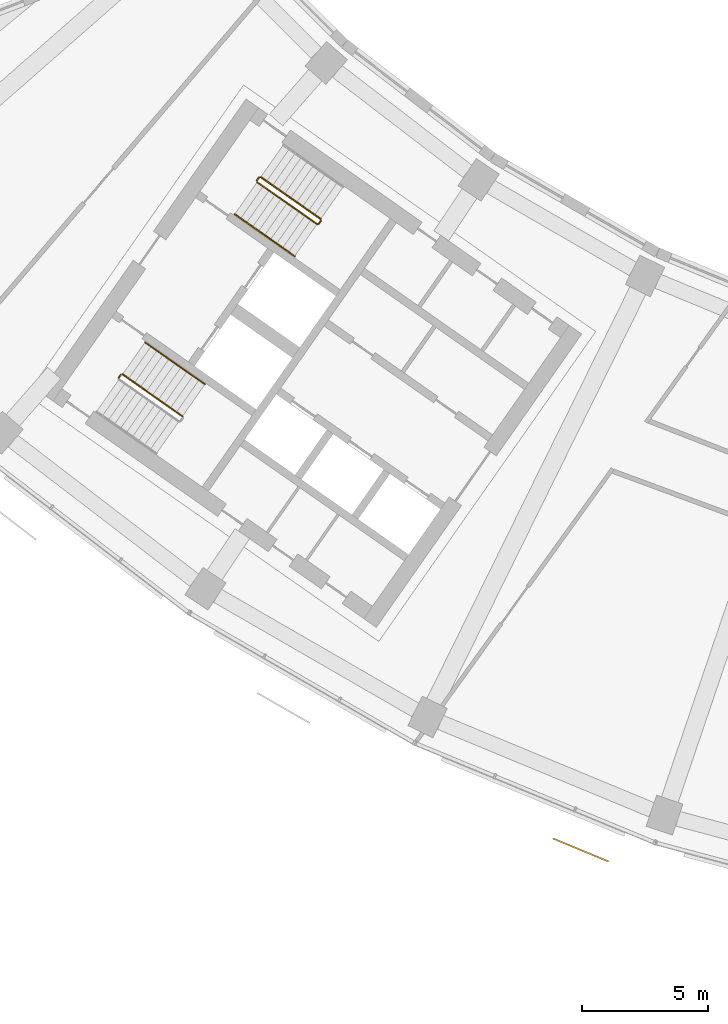
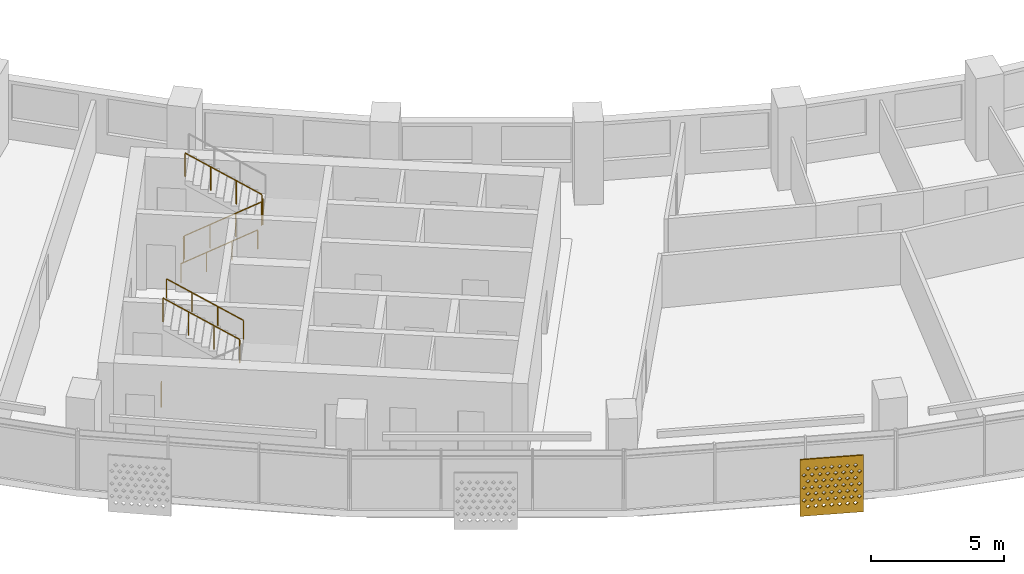
# One storey, part 22 of 26: 7 railings, 1 shading device.
"""IFC4 building model written with IfcOpenShell, lengths in metres."""

import ifcopenshell
import ifcopenshell.guid

model = None  # the IFC model being written
_history = None  # IfcOwnerHistory: only IFC2X3 demands one
_inside = {}  # id of a spatial element -> (the spatial element, [elements in it])
_under = {}  # id of a project, library or spatial element -> (it, [spatial elements below it])
_declared = {}  # id of a project -> (the project, [libraries it declares])
_typed = {}  # id of a type object -> (the type object, [elements of that type])
_made_of = {}  # id of a material, layer set ... -> (it, [elements and type objects made of it])


def new_model(schema):
    """Start an empty IFC model of exactly this schema.

    Asked for "IFC4X3", IfcOpenShell would pick the latest addendum, in which some entities
    have other attributes; the version numbers below select the first issue.
    IFC2X3 requires an IfcOwnerHistory on every rooted entity: one is made here for all.
    """
    global model, _history
    if schema == "IFC4X3":
        model = ifcopenshell.file(schema_version=(4, 3, 0, 0))
    else:
        model = ifcopenshell.file(schema=schema)
    _inside.clear()
    _under.clear()
    _declared.clear()
    _typed.clear()
    _made_of.clear()
    _history = None
    if model.schema == "IFC2X3":
        org = make("IfcOrganization", Name="unknown")
        user = make(
            "IfcPersonAndOrganization",
            ThePerson=make("IfcPerson", FamilyName="unknown"),
            TheOrganization=org,
        )
        app = make(
            "IfcApplication",
            ApplicationDeveloper=org,
            Version="unknown",
            ApplicationFullName="unknown",
            ApplicationIdentifier="unknown",
        )
        _history = make(
            "IfcOwnerHistory",
            OwningUser=user,
            OwningApplication=app,
            ChangeAction="ADDED",
            CreationDate=0,
        )
    return model


def make(cls, **values):
    """One entity of the class cls with the attributes given. An attribute that is None is left unset."""
    return model.create_entity(
        cls, **{name: value for name, value in values.items() if value is not None}
    )


def rooted(cls, **values):
    """An entity with a GlobalId (a new one), such as an element, a storey or a relation."""
    return make(cls, GlobalId=ifcopenshell.guid.new(), OwnerHistory=_history, **values)


def si_unit(unit_type, name, prefix=None):
    """IfcSIUnit, for example si_unit("LENGTHUNIT", "METRE", prefix="MILLI")."""
    return make("IfcSIUnit", UnitType=unit_type, Prefix=prefix, Name=name)


def assignment(units):
    """IfcUnitAssignment: the units of a project."""
    return None if units is None else make("IfcUnitAssignment", Units=units)


def point(xyz):
    """IfcCartesianPoint."""
    return None if xyz is None else make("IfcCartesianPoint", Coordinates=xyz)


def direction(xyz):
    """IfcDirection."""
    return None if xyz is None else make("IfcDirection", DirectionRatios=xyz)


def frame(location, z_axis=None, x_axis=None):
    """IfcAxis2Placement3D, a coordinate frame: its origin and axes. An axis left out is left unset."""
    return make(
        "IfcAxis2Placement3D",
        Location=point(location),
        Axis=direction(z_axis),
        RefDirection=direction(x_axis),
    )


def frame_2d(location, x_axis=None):
    """IfcAxis2Placement2D, a coordinate frame in the plane: its origin and x axis."""
    return make(
        "IfcAxis2Placement2D", Location=point(location), RefDirection=direction(x_axis)
    )


def origin():
    """The frame at (0, 0, 0) with its axes left unset."""
    return frame((0.0, 0.0, 0.0))


def origin_2d():
    """The frame at (0, 0) in the plane with its x axis left unset."""
    return frame_2d((0.0, 0.0))


def place(relative_to, where):
    """IfcLocalPlacement: puts the frame where relative to a parent placement (None: the world)."""
    return make(
        "IfcLocalPlacement", PlacementRelTo=relative_to, RelativePlacement=where
    )


def context(
    kind, dimensions, precision=None, world=None, true_north=None, identifier=None
):
    """IfcGeometricRepresentationContext, for example the 3D "Model" context."""
    return make(
        "IfcGeometricRepresentationContext",
        ContextIdentifier=identifier,
        ContextType=kind,
        CoordinateSpaceDimension=dimensions,
        Precision=precision,
        WorldCoordinateSystem=world,
        TrueNorth=true_north,
    )


def subcontext(parent, identifier, kind, view, scale=None):
    """IfcGeometricRepresentationSubContext, for example "Body" below "Model"."""
    return make(
        "IfcGeometricRepresentationSubContext",
        ContextIdentifier=identifier,
        ContextType=kind,
        ParentContext=parent,
        TargetScale=scale,
        TargetView=view,
    )


def project(units=None, contexts=None):
    """IfcProject with its units and contexts."""
    return rooted(
        "IfcProject",
        Name="project",
        RepresentationContexts=contexts,
        UnitsInContext=assignment(units),
    )


def spatial(cls, under=None, at=None, **own):
    """A site, building, storey or space (cls), placed at a placement, below another one or the project."""
    s = rooted(cls, ObjectPlacement=at, **own)
    if under is not None:
        _under.setdefault(under.id(), (under, []))[1].append(s)
    return s


def polyline(points):
    """IfcPolyline through the points."""
    return make("IfcPolyline", Points=[point(p) for p in points])


def profile(cls, at=None, kind="AREA", **sizes):
    """A parametric profile (cls). Its sizes go by their IFC names, for example OverallWidth=200.0."""
    return make(cls, ProfileType=kind, Position=at, **sizes)


def circle(**sizes):
    """IfcCircleProfileDef."""
    return profile("IfcCircleProfileDef", **sizes)


def outline(outer, holes=None, kind="AREA"):
    """IfcArbitraryClosedProfileDef: a profile drawn as a closed curve; with holes, ...WithVoids."""
    if holes is None:
        return make("IfcArbitraryClosedProfileDef", ProfileType=kind, OuterCurve=outer)
    return make(
        "IfcArbitraryProfileDefWithVoids",
        ProfileType=kind,
        OuterCurve=outer,
        InnerCurves=holes,
    )


def extrude(swept, where, along, depth):
    """IfcExtrudedAreaSolid: the profile swept, set in the frame where, extruded along a direction by depth."""
    return make(
        "IfcExtrudedAreaSolid",
        SweptArea=swept,
        Position=where,
        ExtrudedDirection=direction(along),
        Depth=depth,
    )


def shape(context_of_items, identifier, shape_type, items):
    """IfcShapeRepresentation: the items that make up one representation, for example the "Body"."""
    return make(
        "IfcShapeRepresentation",
        ContextOfItems=context_of_items,
        RepresentationIdentifier=identifier,
        RepresentationType=shape_type,
        Items=items,
    )


def material(Name=None, Category=None):
    """IfcMaterial."""
    return make("IfcMaterial", Name=Name, Category=Category)


def material_profile(
    of_material, cross_section, Name=None, Category=None, Priority=None
):
    """IfcMaterialProfile: a cross section and its material."""
    return make(
        "IfcMaterialProfile",
        Name=Name,
        Material=of_material,
        Profile=cross_section,
        Priority=Priority,
        Category=Category,
    )


def profile_set(profiles, Name=None, composite=None):
    """IfcMaterialProfileSet."""
    return make(
        "IfcMaterialProfileSet",
        Name=Name,
        MaterialProfiles=profiles,
        CompositeProfile=composite,
    )


def made_of(thing, what):
    """Note that an element or type object is made of a material, layer set ...; save() writes the relation."""
    if what is not None:
        _made_of.setdefault(what.id(), (what, []))[1].append(thing)
    return thing


def type_object(cls, material=None, **own):
    """A type object (cls), such as IfcWallType, which elements share."""
    return made_of(rooted(cls, **own), material)


def element(
    cls,
    number,
    at=None,
    inside=None,
    cuts=None,
    type_object=None,
    material=None,
    context=None,
    identifier="Body",
    shape_type=None,
    held_by="IfcProductDefinitionShape",
    body=None,
    shapes=None,
    **own,
):
    """One element of the class cls, such as IfcWall. Its Tag is "e" and its number.

    at: its placement. inside: the storey or other place that contains it. cuts: it is an
    opening in that element (IfcRelVoidsElement). A single representation is given by context,
    identifier, shape_type and body (its items); several are given by shapes. held_by: the class
    of the entity that holds the representations. save() writes the other relations.
    """
    e = rooted(cls, Tag="e%d" % number, ObjectPlacement=at, **own)
    if body is not None:
        shapes = [shape(context, identifier, shape_type, body)]
    if shapes is not None:
        e.Representation = make(held_by, Representations=shapes)
    if inside is not None:
        _inside.setdefault(inside.id(), (inside, []))[1].append(e)
    if cuts is not None:
        rooted(
            "IfcRelVoidsElement", RelatingBuildingElement=cuts, RelatedOpeningElement=e
        )
    if type_object is not None:
        _typed.setdefault(type_object.id(), (type_object, []))[1].append(e)
    return made_of(e, material)


def aggregate(whole, parts):
    """IfcRelAggregates: a whole, such as a stair, and the parts it consists of."""
    return rooted("IfcRelAggregates", RelatingObject=whole, RelatedObjects=parts)


def save(model, path):
    """Write the relations noted so far, then the file.

    IfcRelAggregates (storeys below a building ...), IfcRelContainedInSpatialStructure (elements
    in a storey), IfcRelDefinesByType, IfcRelAssociatesMaterial and IfcRelDeclares: one each for
    every whole, place, type object, material and project.
    """
    for whole, parts in _under.values():
        aggregate(whole, parts)
    for where, things in _inside.values():
        rooted(
            "IfcRelContainedInSpatialStructure",
            RelatedElements=things,
            RelatingStructure=where,
        )
    for kind, things in _typed.values():
        rooted("IfcRelDefinesByType", RelatedObjects=things, RelatingType=kind)
    for what, things in _made_of.values():
        rooted("IfcRelAssociatesMaterial", RelatedObjects=things, RelatingMaterial=what)
    for by, libraries in _declared.values():
        rooted("IfcRelDeclares", RelatingContext=by, RelatedDefinitions=libraries)
    model.write(path)


model = new_model("IFC4")

# Units and contexts
model_context = context("Model", 3, precision=1e-05, world=origin(), true_north=direction((0.0, 1.0)))
body_context = subcontext(model_context, "Body", "Model", "MODEL_VIEW")
ifc_project = project(units=[si_unit("LENGTHUNIT", "METRE"), si_unit("AREAUNIT", "SQUARE_METRE"), si_unit("VOLUMEUNIT", "CUBIC_METRE"), si_unit("PLANEANGLEUNIT", "RADIAN"), si_unit("MASSUNIT", "GRAM", prefix="KILO")], contexts=[model_context])

# Site, building, storey
site_placement = place(None, origin())
site = spatial("IfcSite", under=ifc_project, at=site_placement, CompositionType="ELEMENT")
building_placement = place(site_placement, origin())
building = spatial("IfcBuilding", under=site, at=building_placement, Name="Qamariyya Broadcast Tower", CompositionType="ELEMENT")
storey_placement = place(building_placement, frame((0.0, 0.0, 168.300048828125)))
storey = spatial("IfcBuildingStorey", under=building, at=storey_placement, Name="L39", CompositionType="ELEMENT", Elevation=168.300048828125)

# Shading device
ifc_material_1 = material(Name="Perforated glazed terracotta", Category="masonry")
ifc_material_profile = material_profile(ifc_material_1, outline(polyline([(-1.199951171875, -1.300048828125), (1.199951171875, -1.300048828125), (1.199951171875, 1.300048828125), (-1.199951171875, 1.300048828125), (-1.199951171875, -1.300048828125)]), holes=[polyline([(-0.81494140625, -0.86669921875), (-0.89990234375, -0.78173828125), (-0.985107421875, -0.86669921875), (-0.89990234375, -0.95166015625), (-0.81494140625, -0.86669921875)]), polyline([(-0.514892578125, -0.86669921875), (-0.60009765625, -0.78173828125), (-0.68505859375, -0.86669921875), (-0.60009765625, -0.95166015625), (-0.514892578125, -0.86669921875)]), polyline([(-0.215087890625, -0.86669921875), (-0.300048828125, -0.78173828125), (-0.385009765625, -0.86669921875), (-0.300048828125, -0.95166015625), (-0.215087890625, -0.86669921875)]), polyline([(0.0849609375, -0.86669921875), (0.0, -0.78173828125), (-0.0849609375, -0.86669921875), (0.0, -0.95166015625), (0.0849609375, -0.86669921875)]), polyline([(0.385009765625, -0.86669921875), (0.300048828125, -0.78173828125), (0.215087890625, -0.86669921875), (0.300048828125, -0.95166015625), (0.385009765625, -0.86669921875)]), polyline([(0.68505859375, -0.86669921875), (0.60009765625, -0.78173828125), (0.514892578125, -0.86669921875), (0.60009765625, -0.95166015625), (0.68505859375, -0.86669921875)]), polyline([(0.985107421875, -0.86669921875), (0.89990234375, -0.78173828125), (0.81494140625, -0.86669921875), (0.89990234375, -0.95166015625), (0.985107421875, -0.86669921875)]), polyline([(-0.965087890625, -0.577880859375), (-1.050048828125, -0.49267578125), (-1.135009765625, -0.577880859375), (-1.050048828125, -0.662841796875), (-0.965087890625, -0.577880859375)]), polyline([(-0.6650390625, -0.577880859375), (-0.75, -0.49267578125), (-0.8349609375, -0.577880859375), (-0.75, -0.662841796875), (-0.6650390625, -0.577880859375)]), polyline([(-0.364990234375, -0.577880859375), (-0.449951171875, -0.49267578125), (-0.534912109375, -0.577880859375), (-0.449951171875, -0.662841796875), (-0.364990234375, -0.577880859375)]), polyline([(-0.06494140625, -0.577880859375), (-0.14990234375, -0.49267578125), (-0.235107421875, -0.577880859375), (-0.14990234375, -0.662841796875), (-0.06494140625, -0.577880859375)]), polyline([(0.235107421875, -0.577880859375), (0.14990234375, -0.49267578125), (0.06494140625, -0.577880859375), (0.14990234375, -0.662841796875), (0.235107421875, -0.577880859375)]), polyline([(0.534912109375, -0.577880859375), (0.449951171875, -0.49267578125), (0.364990234375, -0.577880859375), (0.449951171875, -0.662841796875), (0.534912109375, -0.577880859375)]), polyline([(0.8349609375, -0.577880859375), (0.75, -0.49267578125), (0.6650390625, -0.577880859375), (0.75, -0.662841796875), (0.8349609375, -0.577880859375)]), polyline([(1.135009765625, -0.577880859375), (1.050048828125, -0.49267578125), (0.965087890625, -0.577880859375), (1.050048828125, -0.662841796875), (1.135009765625, -0.577880859375)]), polyline([(-0.81494140625, -0.288818359375), (-0.89990234375, -0.203857421875), (-0.985107421875, -0.288818359375), (-0.89990234375, -0.373779296875), (-0.81494140625, -0.288818359375)]), polyline([(-0.514892578125, -0.288818359375), (-0.60009765625, -0.203857421875), (-0.68505859375, -0.288818359375), (-0.60009765625, -0.373779296875), (-0.514892578125, -0.288818359375)]), polyline([(-0.215087890625, -0.288818359375), (-0.300048828125, -0.203857421875), (-0.385009765625, -0.288818359375), (-0.300048828125, -0.373779296875), (-0.215087890625, -0.288818359375)]), polyline([(0.0849609375, -0.288818359375), (0.0, -0.203857421875), (-0.0849609375, -0.288818359375), (0.0, -0.373779296875), (0.0849609375, -0.288818359375)]), polyline([(0.385009765625, -0.288818359375), (0.300048828125, -0.203857421875), (0.215087890625, -0.288818359375), (0.300048828125, -0.373779296875), (0.385009765625, -0.288818359375)]), polyline([(0.68505859375, -0.288818359375), (0.60009765625, -0.203857421875), (0.514892578125, -0.288818359375), (0.60009765625, -0.373779296875), (0.68505859375, -0.288818359375)]), polyline([(0.985107421875, -0.288818359375), (0.89990234375, -0.203857421875), (0.81494140625, -0.288818359375), (0.89990234375, -0.373779296875), (0.985107421875, -0.288818359375)]), polyline([(-0.965087890625, 0.0), (-1.050048828125, 0.0849609375), (-1.135009765625, 0.0), (-1.050048828125, -0.0849609375), (-0.965087890625, 0.0)]), polyline([(-0.6650390625, 0.0), (-0.75, 0.0849609375), (-0.8349609375, 0.0), (-0.75, -0.0849609375), (-0.6650390625, 0.0)]), polyline([(-0.364990234375, 0.0), (-0.449951171875, 0.0849609375), (-0.534912109375, 0.0), (-0.449951171875, -0.0849609375), (-0.364990234375, 0.0)]), polyline([(-0.06494140625, 0.0), (-0.14990234375, 0.0849609375), (-0.235107421875, 0.0), (-0.14990234375, -0.0849609375), (-0.06494140625, 0.0)]), polyline([(0.235107421875, 0.0), (0.14990234375, 0.0849609375), (0.06494140625, 0.0), (0.14990234375, -0.0849609375), (0.235107421875, 0.0)]), polyline([(0.534912109375, 0.0), (0.449951171875, 0.0849609375), (0.364990234375, 0.0), (0.449951171875, -0.0849609375), (0.534912109375, 0.0)]), polyline([(0.8349609375, 0.0), (0.75, 0.0849609375), (0.6650390625, 0.0), (0.75, -0.0849609375), (0.8349609375, 0.0)]), polyline([(1.135009765625, 0.0), (1.050048828125, 0.0849609375), (0.965087890625, 0.0), (1.050048828125, -0.0849609375), (1.135009765625, 0.0)]), polyline([(-0.81494140625, 0.288818359375), (-0.89990234375, 0.373779296875), (-0.985107421875, 0.288818359375), (-0.89990234375, 0.203857421875), (-0.81494140625, 0.288818359375)]), polyline([(-0.514892578125, 0.288818359375), (-0.60009765625, 0.373779296875), (-0.68505859375, 0.288818359375), (-0.60009765625, 0.203857421875), (-0.514892578125, 0.288818359375)]), polyline([(-0.215087890625, 0.288818359375), (-0.300048828125, 0.373779296875), (-0.385009765625, 0.288818359375), (-0.300048828125, 0.203857421875), (-0.215087890625, 0.288818359375)]), polyline([(0.0849609375, 0.288818359375), (0.0, 0.373779296875), (-0.0849609375, 0.288818359375), (0.0, 0.203857421875), (0.0849609375, 0.288818359375)]), polyline([(0.385009765625, 0.288818359375), (0.300048828125, 0.373779296875), (0.215087890625, 0.288818359375), (0.300048828125, 0.203857421875), (0.385009765625, 0.288818359375)]), polyline([(0.68505859375, 0.288818359375), (0.60009765625, 0.373779296875), (0.514892578125, 0.288818359375), (0.60009765625, 0.203857421875), (0.68505859375, 0.288818359375)]), polyline([(0.985107421875, 0.288818359375), (0.89990234375, 0.373779296875), (0.81494140625, 0.288818359375), (0.89990234375, 0.203857421875), (0.985107421875, 0.288818359375)]), polyline([(-0.965087890625, 0.577880859375), (-1.050048828125, 0.662841796875), (-1.135009765625, 0.577880859375), (-1.050048828125, 0.49267578125), (-0.965087890625, 0.577880859375)]), polyline([(-0.6650390625, 0.577880859375), (-0.75, 0.662841796875), (-0.8349609375, 0.577880859375), (-0.75, 0.49267578125), (-0.6650390625, 0.577880859375)]), polyline([(-0.364990234375, 0.577880859375), (-0.449951171875, 0.662841796875), (-0.534912109375, 0.577880859375), (-0.449951171875, 0.49267578125), (-0.364990234375, 0.577880859375)]), polyline([(-0.06494140625, 0.577880859375), (-0.14990234375, 0.662841796875), (-0.235107421875, 0.577880859375), (-0.14990234375, 0.49267578125), (-0.06494140625, 0.577880859375)]), polyline([(0.235107421875, 0.577880859375), (0.14990234375, 0.662841796875), (0.06494140625, 0.577880859375), (0.14990234375, 0.49267578125), (0.235107421875, 0.577880859375)]), polyline([(0.534912109375, 0.577880859375), (0.449951171875, 0.662841796875), (0.364990234375, 0.577880859375), (0.449951171875, 0.49267578125), (0.534912109375, 0.577880859375)]), polyline([(0.8349609375, 0.577880859375), (0.75, 0.662841796875), (0.6650390625, 0.577880859375), (0.75, 0.49267578125), (0.8349609375, 0.577880859375)]), polyline([(1.135009765625, 0.577880859375), (1.050048828125, 0.662841796875), (0.965087890625, 0.577880859375), (1.050048828125, 0.49267578125), (1.135009765625, 0.577880859375)]), polyline([(-0.81494140625, 0.86669921875), (-0.89990234375, 0.95166015625), (-0.985107421875, 0.86669921875), (-0.89990234375, 0.78173828125), (-0.81494140625, 0.86669921875)]), polyline([(-0.514892578125, 0.86669921875), (-0.60009765625, 0.95166015625), (-0.68505859375, 0.86669921875), (-0.60009765625, 0.78173828125), (-0.514892578125, 0.86669921875)]), polyline([(-0.215087890625, 0.86669921875), (-0.300048828125, 0.95166015625), (-0.385009765625, 0.86669921875), (-0.300048828125, 0.78173828125), (-0.215087890625, 0.86669921875)]), polyline([(0.0849609375, 0.86669921875), (0.0, 0.95166015625), (-0.0849609375, 0.86669921875), (0.0, 0.78173828125), (0.0849609375, 0.86669921875)]), polyline([(0.385009765625, 0.86669921875), (0.300048828125, 0.95166015625), (0.215087890625, 0.86669921875), (0.300048828125, 0.78173828125), (0.385009765625, 0.86669921875)]), polyline([(0.68505859375, 0.86669921875), (0.60009765625, 0.95166015625), (0.514892578125, 0.86669921875), (0.60009765625, 0.78173828125), (0.68505859375, 0.86669921875)]), polyline([(0.985107421875, 0.86669921875), (0.89990234375, 0.95166015625), (0.81494140625, 0.86669921875), (0.89990234375, 0.78173828125), (0.985107421875, 0.86669921875)])]))
ifc_profile_set = profile_set([ifc_material_profile], Name="Perforated glazed terracotta")
shading_device_type = type_object("IfcShadingDeviceType", Name="Perforated terracotta screen 2400 x 2600", PredefinedType="USERDEFINED", material=ifc_profile_set)
shading_device_placement = place(storey_placement, frame((-28.304931640625, -74.976318359375, 1.349853515625), z_axis=(-0.382591441855, -0.923917630863, 0.0), x_axis=(0.923917630863, -0.382591441855, 0.0)))
element("IfcShadingDevice", 1, at=shading_device_placement, inside=storey, type_object=shading_device_type, Name="e-scr-L39-04-2", ObjectType="SCREEN", PredefinedType="USERDEFINED", context=body_context, shape_type="SweptSolid", body=[
    extrude(outline(polyline([(-1.199951171875, -1.300048828125), (1.199951171875, -1.300048828125), (1.199951171875, 1.300048828125), (-1.199951171875, 1.300048828125), (-1.199951171875, -1.300048828125)]), holes=[polyline([(-0.81494140625, -0.86669921875), (-0.89990234375, -0.78173828125), (-0.985107421875, -0.86669921875), (-0.89990234375, -0.95166015625), (-0.81494140625, -0.86669921875)]), polyline([(-0.514892578125, -0.86669921875), (-0.60009765625, -0.78173828125), (-0.68505859375, -0.86669921875), (-0.60009765625, -0.95166015625), (-0.514892578125, -0.86669921875)]), polyline([(-0.215087890625, -0.86669921875), (-0.300048828125, -0.78173828125), (-0.385009765625, -0.86669921875), (-0.300048828125, -0.95166015625), (-0.215087890625, -0.86669921875)]), polyline([(0.0849609375, -0.86669921875), (0.0, -0.78173828125), (-0.0849609375, -0.86669921875), (0.0, -0.95166015625), (0.0849609375, -0.86669921875)]), polyline([(0.385009765625, -0.86669921875), (0.300048828125, -0.78173828125), (0.215087890625, -0.86669921875), (0.300048828125, -0.95166015625), (0.385009765625, -0.86669921875)]), polyline([(0.68505859375, -0.86669921875), (0.60009765625, -0.78173828125), (0.514892578125, -0.86669921875), (0.60009765625, -0.95166015625), (0.68505859375, -0.86669921875)]), polyline([(0.985107421875, -0.86669921875), (0.89990234375, -0.78173828125), (0.81494140625, -0.86669921875), (0.89990234375, -0.95166015625), (0.985107421875, -0.86669921875)]), polyline([(-0.965087890625, -0.577880859375), (-1.050048828125, -0.49267578125), (-1.135009765625, -0.577880859375), (-1.050048828125, -0.662841796875), (-0.965087890625, -0.577880859375)]), polyline([(-0.6650390625, -0.577880859375), (-0.75, -0.49267578125), (-0.8349609375, -0.577880859375), (-0.75, -0.662841796875), (-0.6650390625, -0.577880859375)]), polyline([(-0.364990234375, -0.577880859375), (-0.449951171875, -0.49267578125), (-0.534912109375, -0.577880859375), (-0.449951171875, -0.662841796875), (-0.364990234375, -0.577880859375)]), polyline([(-0.06494140625, -0.577880859375), (-0.14990234375, -0.49267578125), (-0.235107421875, -0.577880859375), (-0.14990234375, -0.662841796875), (-0.06494140625, -0.577880859375)]), polyline([(0.235107421875, -0.577880859375), (0.14990234375, -0.49267578125), (0.06494140625, -0.577880859375), (0.14990234375, -0.662841796875), (0.235107421875, -0.577880859375)]), polyline([(0.534912109375, -0.577880859375), (0.449951171875, -0.49267578125), (0.364990234375, -0.577880859375), (0.449951171875, -0.662841796875), (0.534912109375, -0.577880859375)]), polyline([(0.8349609375, -0.577880859375), (0.75, -0.49267578125), (0.6650390625, -0.577880859375), (0.75, -0.662841796875), (0.8349609375, -0.577880859375)]), polyline([(1.135009765625, -0.577880859375), (1.050048828125, -0.49267578125), (0.965087890625, -0.577880859375), (1.050048828125, -0.662841796875), (1.135009765625, -0.577880859375)]), polyline([(-0.81494140625, -0.288818359375), (-0.89990234375, -0.203857421875), (-0.985107421875, -0.288818359375), (-0.89990234375, -0.373779296875), (-0.81494140625, -0.288818359375)]), polyline([(-0.514892578125, -0.288818359375), (-0.60009765625, -0.203857421875), (-0.68505859375, -0.288818359375), (-0.60009765625, -0.373779296875), (-0.514892578125, -0.288818359375)]), polyline([(-0.215087890625, -0.288818359375), (-0.300048828125, -0.203857421875), (-0.385009765625, -0.288818359375), (-0.300048828125, -0.373779296875), (-0.215087890625, -0.288818359375)]), polyline([(0.0849609375, -0.288818359375), (0.0, -0.203857421875), (-0.0849609375, -0.288818359375), (0.0, -0.373779296875), (0.0849609375, -0.288818359375)]), polyline([(0.385009765625, -0.288818359375), (0.300048828125, -0.203857421875), (0.215087890625, -0.288818359375), (0.300048828125, -0.373779296875), (0.385009765625, -0.288818359375)]), polyline([(0.68505859375, -0.288818359375), (0.60009765625, -0.203857421875), (0.514892578125, -0.288818359375), (0.60009765625, -0.373779296875), (0.68505859375, -0.288818359375)]), polyline([(0.985107421875, -0.288818359375), (0.89990234375, -0.203857421875), (0.81494140625, -0.288818359375), (0.89990234375, -0.373779296875), (0.985107421875, -0.288818359375)]), polyline([(-0.965087890625, 0.0), (-1.050048828125, 0.0849609375), (-1.135009765625, 0.0), (-1.050048828125, -0.0849609375), (-0.965087890625, 0.0)]), polyline([(-0.6650390625, 0.0), (-0.75, 0.0849609375), (-0.8349609375, 0.0), (-0.75, -0.0849609375), (-0.6650390625, 0.0)]), polyline([(-0.364990234375, 0.0), (-0.449951171875, 0.0849609375), (-0.534912109375, 0.0), (-0.449951171875, -0.0849609375), (-0.364990234375, 0.0)]), polyline([(-0.06494140625, 0.0), (-0.14990234375, 0.0849609375), (-0.235107421875, 0.0), (-0.14990234375, -0.0849609375), (-0.06494140625, 0.0)]), polyline([(0.235107421875, 0.0), (0.14990234375, 0.0849609375), (0.06494140625, 0.0), (0.14990234375, -0.0849609375), (0.235107421875, 0.0)]), polyline([(0.534912109375, 0.0), (0.449951171875, 0.0849609375), (0.364990234375, 0.0), (0.449951171875, -0.0849609375), (0.534912109375, 0.0)]), polyline([(0.8349609375, 0.0), (0.75, 0.0849609375), (0.6650390625, 0.0), (0.75, -0.0849609375), (0.8349609375, 0.0)]), polyline([(1.135009765625, 0.0), (1.050048828125, 0.0849609375), (0.965087890625, 0.0), (1.050048828125, -0.0849609375), (1.135009765625, 0.0)]), polyline([(-0.81494140625, 0.288818359375), (-0.89990234375, 0.373779296875), (-0.985107421875, 0.288818359375), (-0.89990234375, 0.203857421875), (-0.81494140625, 0.288818359375)]), polyline([(-0.514892578125, 0.288818359375), (-0.60009765625, 0.373779296875), (-0.68505859375, 0.288818359375), (-0.60009765625, 0.203857421875), (-0.514892578125, 0.288818359375)]), polyline([(-0.215087890625, 0.288818359375), (-0.300048828125, 0.373779296875), (-0.385009765625, 0.288818359375), (-0.300048828125, 0.203857421875), (-0.215087890625, 0.288818359375)]), polyline([(0.0849609375, 0.288818359375), (0.0, 0.373779296875), (-0.0849609375, 0.288818359375), (0.0, 0.203857421875), (0.0849609375, 0.288818359375)]), polyline([(0.385009765625, 0.288818359375), (0.300048828125, 0.373779296875), (0.215087890625, 0.288818359375), (0.300048828125, 0.203857421875), (0.385009765625, 0.288818359375)]), polyline([(0.68505859375, 0.288818359375), (0.60009765625, 0.373779296875), (0.514892578125, 0.288818359375), (0.60009765625, 0.203857421875), (0.68505859375, 0.288818359375)]), polyline([(0.985107421875, 0.288818359375), (0.89990234375, 0.373779296875), (0.81494140625, 0.288818359375), (0.89990234375, 0.203857421875), (0.985107421875, 0.288818359375)]), polyline([(-0.965087890625, 0.577880859375), (-1.050048828125, 0.662841796875), (-1.135009765625, 0.577880859375), (-1.050048828125, 0.49267578125), (-0.965087890625, 0.577880859375)]), polyline([(-0.6650390625, 0.577880859375), (-0.75, 0.662841796875), (-0.8349609375, 0.577880859375), (-0.75, 0.49267578125), (-0.6650390625, 0.577880859375)]), polyline([(-0.364990234375, 0.577880859375), (-0.449951171875, 0.662841796875), (-0.534912109375, 0.577880859375), (-0.449951171875, 0.49267578125), (-0.364990234375, 0.577880859375)]), polyline([(-0.06494140625, 0.577880859375), (-0.14990234375, 0.662841796875), (-0.235107421875, 0.577880859375), (-0.14990234375, 0.49267578125), (-0.06494140625, 0.577880859375)]), polyline([(0.235107421875, 0.577880859375), (0.14990234375, 0.662841796875), (0.06494140625, 0.577880859375), (0.14990234375, 0.49267578125), (0.235107421875, 0.577880859375)]), polyline([(0.534912109375, 0.577880859375), (0.449951171875, 0.662841796875), (0.364990234375, 0.577880859375), (0.449951171875, 0.49267578125), (0.534912109375, 0.577880859375)]), polyline([(0.8349609375, 0.577880859375), (0.75, 0.662841796875), (0.6650390625, 0.577880859375), (0.75, 0.49267578125), (0.8349609375, 0.577880859375)]), polyline([(1.135009765625, 0.577880859375), (1.050048828125, 0.662841796875), (0.965087890625, 0.577880859375), (1.050048828125, 0.49267578125), (1.135009765625, 0.577880859375)]), polyline([(-0.81494140625, 0.86669921875), (-0.89990234375, 0.95166015625), (-0.985107421875, 0.86669921875), (-0.89990234375, 0.78173828125), (-0.81494140625, 0.86669921875)]), polyline([(-0.514892578125, 0.86669921875), (-0.60009765625, 0.95166015625), (-0.68505859375, 0.86669921875), (-0.60009765625, 0.78173828125), (-0.514892578125, 0.86669921875)]), polyline([(-0.215087890625, 0.86669921875), (-0.300048828125, 0.95166015625), (-0.385009765625, 0.86669921875), (-0.300048828125, 0.78173828125), (-0.215087890625, 0.86669921875)]), polyline([(0.0849609375, 0.86669921875), (0.0, 0.95166015625), (-0.0849609375, 0.86669921875), (0.0, 0.78173828125), (0.0849609375, 0.86669921875)]), polyline([(0.385009765625, 0.86669921875), (0.300048828125, 0.95166015625), (0.215087890625, 0.86669921875), (0.300048828125, 0.78173828125), (0.385009765625, 0.86669921875)]), polyline([(0.68505859375, 0.86669921875), (0.60009765625, 0.95166015625), (0.514892578125, 0.86669921875), (0.60009765625, 0.78173828125), (0.68505859375, 0.86669921875)]), polyline([(0.985107421875, 0.86669921875), (0.89990234375, 0.95166015625), (0.81494140625, 0.86669921875), (0.89990234375, 0.78173828125), (0.985107421875, 0.86669921875)])]), origin(), (0.0, 0.0, 1.0), 0.06005859375),
])

# Railings
ifc_material_2 = material(Name="Painted steel", Category="steel")
railing_type_1 = type_object("IfcRailingType", Name="Stair guard", PredefinedType="GUARDRAIL", material=ifc_material_2)
railing_1_placement = place(storey_placement, frame((-41.146728515625, -48.52490234375, 0.172607421875)))
element("IfcRailing", 2, at=railing_1_placement, inside=storey, type_object=railing_type_1, Name="L39 ST-W2 stair guard 1", PredefinedType="GUARDRAIL", context=body_context, shape_type="SweptSolid", body=[
    extrude(circle(Radius=0.02392578125, at=origin_2d()), frame((0.0, 0.0, 1.076171875), z_axis=(0.703770094002, -0.492783725636, 0.511734163933), x_axis=(0.573575343427, 0.819152809562, 0.0)), (0.0, 0.0, 1.0), 3.37548828125),
    extrude(circle(Radius=0.02392578125, at=origin_2d()), frame((2.37548828125, -1.663330078125, 2.80322265625), z_axis=(0.985059694769, 0.172213233351, 0.0), x_axis=(-0.172213233351, 0.985059694769, 0.0)), (0.0, 0.0, 1.0), 0.07080078125),
    extrude(circle(Radius=0.02392578125, at=origin_2d()), frame((2.4453125, -1.651123046875, 2.80322265625), z_axis=(0.572588637393, 0.819842821722, 0.0), x_axis=(-0.819842821722, 0.572588637393, 0.0)), (0.0, 0.0, 1.0), 0.150146484375),
    extrude(circle(Radius=0.02099609375, at=origin_2d()), origin(), (0.0, 0.0, 1.0), 1.052001953125),
    extrude(circle(Radius=0.02099609375, at=origin_2d()), frame((0.791748046875, -0.554443359375, 0.57568359375)), (0.0, 0.0, 1.0), 1.052001953125),
    extrude(circle(Radius=0.02099609375, at=origin_2d()), frame((1.583740234375, -1.10888671875, 1.151611328125)), (0.0, 0.0, 1.0), 1.052001953125),
    extrude(circle(Radius=0.02099609375, at=origin_2d()), frame((2.37548828125, -1.663330078125, 1.727294921875)), (0.0, 0.0, 1.0), 1.052001953125),
    extrude(circle(Radius=0.02099609375, at=origin_2d()), frame((2.4453125, -1.651123046875, 1.727294921875)), (0.0, 0.0, 1.0), 1.052001953125),
    extrude(circle(Radius=0.02099609375, at=origin_2d()), frame((2.53125, -1.528076171875, 1.727294921875)), (0.0, 0.0, 1.0), 1.052001953125),
])
railing_2_placement = place(storey_placement, frame((-38.627685546875, -49.9833984375, 2.07275390625)))
element("IfcRailing", 3, at=railing_2_placement, inside=storey, type_object=railing_type_1, Name="L39 ST-W2 stair guard 2", PredefinedType="GUARDRAIL", context=body_context, shape_type="SweptSolid", body=[
    extrude(circle(Radius=0.02392578125, at=origin_2d()), frame((0.0, 0.0, 1.076171875), z_axis=(-0.703770094002, 0.492783725636, 0.511734163933), x_axis=(-0.573575343427, -0.819152809562, 0.0)), (0.0, 0.0, 1.0), 3.37548828125),
    extrude(circle(Radius=0.02099609375, at=origin_2d()), origin(), (0.0, 0.0, 1.0), 1.052001953125),
    extrude(circle(Radius=0.02099609375, at=origin_2d()), frame((-0.791748046875, 0.554443359375, 0.57568359375)), (0.0, 0.0, 1.0), 1.052001953125),
    extrude(circle(Radius=0.02099609375, at=origin_2d()), frame((-1.583740234375, 1.10888671875, 1.151611328125)), (0.0, 0.0, 1.0), 1.052001953125),
    extrude(circle(Radius=0.02099609375, at=origin_2d()), frame((-2.37548828125, 1.663330078125, 1.727294921875)), (0.0, 0.0, 1.0), 1.052001953125),
])
railing_3_placement = place(storey_placement, frame((-41.158935546875, -48.455322265625, 0.0)))
element("IfcRailing", 4, at=railing_3_placement, inside=storey, type_object=railing_type_1, Name="L39 ST-W2 stair guard 3", PredefinedType="GUARDRAIL", context=body_context, shape_type="SweptSolid", body=[
    extrude(circle(Radius=0.02392578125, at=origin_2d()), frame((0.0, 0.0, 1.076171875), z_axis=(0.572588637393, 0.819842821722, 0.0), x_axis=(-0.819842821722, 0.572588637393, 0.0)), (0.0, 0.0, 1.0), 0.150146484375),
    extrude(circle(Radius=0.02099609375, at=origin_2d()), origin(), (0.0, 0.0, 1.0), 1.052001953125),
    extrude(circle(Radius=0.02099609375, at=origin_2d()), frame((0.0859375, 0.123046875, 0.0)), (0.0, 0.0, 1.0), 1.052001953125),
])
railing_4_placement = place(storey_placement, frame((-44.10546875, -57.806396484375, 2.07275390625)))
element("IfcRailing", 5, at=railing_4_placement, inside=storey, type_object=railing_type_1, Name="L39 ST-W1 stair guard 2", PredefinedType="GUARDRAIL", context=body_context, shape_type="SweptSolid", body=[
    extrude(circle(Radius=0.02392578125, at=origin_2d()), frame((0.0, 0.0, 1.076171875), z_axis=(-0.703770094002, 0.492783725636, 0.511734163933), x_axis=(-0.573575343427, -0.819152809562, 0.0)), (0.0, 0.0, 1.0), 3.37548828125),
    extrude(circle(Radius=0.02099609375, at=origin_2d()), origin(), (0.0, 0.0, 1.0), 1.052001953125),
    extrude(circle(Radius=0.02099609375, at=origin_2d()), frame((-0.791748046875, 0.554443359375, 0.57568359375)), (0.0, 0.0, 1.0), 1.052001953125),
    extrude(circle(Radius=0.02099609375, at=origin_2d()), frame((-1.583740234375, 1.10888671875, 1.151611328125)), (0.0, 0.0, 1.0), 1.052001953125),
    extrude(circle(Radius=0.02099609375, at=origin_2d()), frame((-2.37548828125, 1.663330078125, 1.727294921875)), (0.0, 0.0, 1.0), 1.052001953125),
])
railing_5_placement = place(storey_placement, frame((-46.63671875, -56.278076171875, 0.0)))
element("IfcRailing", 6, at=railing_5_placement, inside=storey, type_object=railing_type_1, Name="L39 ST-W1 stair guard 3", PredefinedType="GUARDRAIL", context=body_context, shape_type="SweptSolid", body=[
    extrude(circle(Radius=0.02392578125, at=origin_2d()), frame((0.0, 0.0, 1.076171875), z_axis=(0.574444878118, 0.818543268254, 0.0), x_axis=(-0.818543268254, 0.574444878118, 0.0)), (0.0, 0.0, 1.0), 0.150146484375),
    extrude(circle(Radius=0.02099609375, at=origin_2d()), origin(), (0.0, 0.0, 1.0), 1.052001953125),
    extrude(circle(Radius=0.02099609375, at=origin_2d()), frame((0.086181640625, 0.122802734375, 0.0)), (0.0, 0.0, 1.0), 1.052001953125),
])
ifc_material_3 = material(Name="Stainless steel", Category="steel")
railing_type_2 = type_object("IfcRailingType", Name="Stair handrail", PredefinedType="HANDRAIL", material=ifc_material_3)
railing_6_placement = place(storey_placement, frame((-42.03564453125, -49.79443359375, 0.172607421875)))
element("IfcRailing", 7, at=railing_6_placement, inside=storey, type_object=railing_type_2, Name="L39 ST-W2 stair handrail 1", PredefinedType="HANDRAIL", context=body_context, shape_type="SweptSolid", body=[
    extrude(circle(Radius=0.02392578125, at=origin_2d()), frame((0.0, 0.0, 0.8759765625), z_axis=(0.703745009021, -0.492838488332, 0.511715923826), x_axis=(0.573631830683, 0.819113253969, 0.0)), (0.0, 0.0, 1.0), 3.37548828125),
    extrude(circle(Radius=0.02099609375, at=origin_2d()), origin(), (0.0, 0.0, 1.0), 0.851806640625),
    extrude(circle(Radius=0.02099609375, at=origin_2d()), frame((0.791748046875, -0.554443359375, 0.57568359375)), (0.0, 0.0, 1.0), 0.851806640625),
    extrude(circle(Radius=0.02099609375, at=origin_2d()), frame((1.583740234375, -1.109130859375, 1.151611328125)), (0.0, 0.0, 1.0), 0.851806640625),
    extrude(circle(Radius=0.02099609375, at=origin_2d()), frame((2.37548828125, -1.66357421875, 1.727294921875)), (0.0, 0.0, 1.0), 0.851806640625),
])
railing_7_placement = place(storey_placement, frame((-43.21630859375, -56.53662109375, 2.07275390625)))
element("IfcRailing", 8, at=railing_7_placement, inside=storey, type_object=railing_type_2, Name="L39 ST-W1 stair handrail 2", PredefinedType="HANDRAIL", context=body_context, shape_type="SweptSolid", body=[
    extrude(circle(Radius=0.02392578125, at=origin_2d()), frame((0.0, 0.0, 0.8759765625), z_axis=(-0.703770094002, 0.492783725636, 0.511734163933), x_axis=(-0.573575343427, -0.819152809562, 0.0)), (0.0, 0.0, 1.0), 3.37548828125),
    extrude(circle(Radius=0.02099609375, at=origin_2d()), origin(), (0.0, 0.0, 1.0), 0.851806640625),
    extrude(circle(Radius=0.02099609375, at=origin_2d()), frame((-0.791748046875, 0.554443359375, 0.57568359375)), (0.0, 0.0, 1.0), 0.851806640625),
    extrude(circle(Radius=0.02099609375, at=origin_2d()), frame((-1.583740234375, 1.10888671875, 1.151611328125)), (0.0, 0.0, 1.0), 0.851806640625),
    extrude(circle(Radius=0.02099609375, at=origin_2d()), frame((-2.37548828125, 1.663330078125, 1.727294921875)), (0.0, 0.0, 1.0), 0.851806640625),
])

save(model, "model.ifc")
